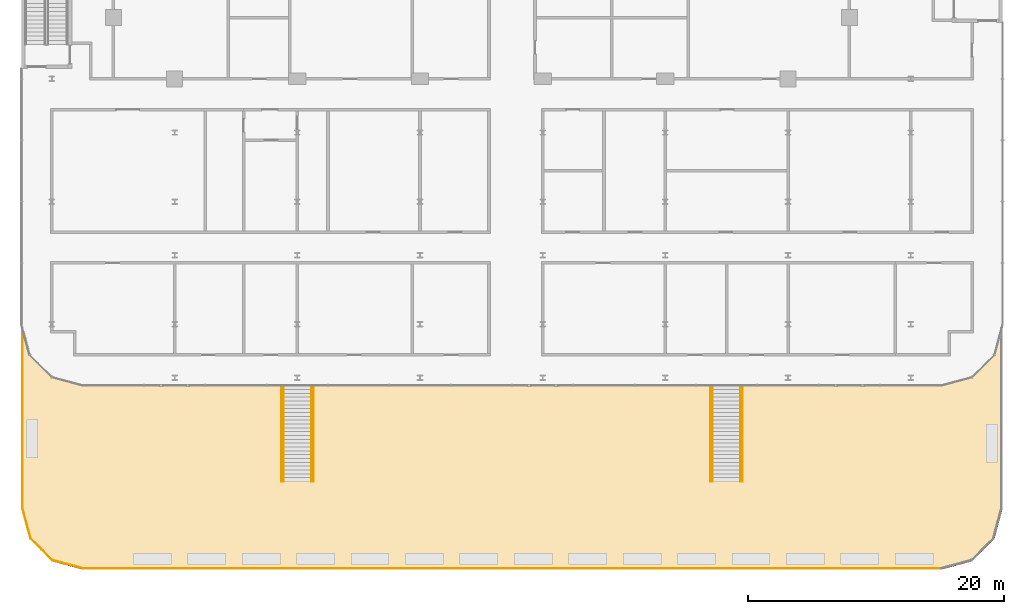
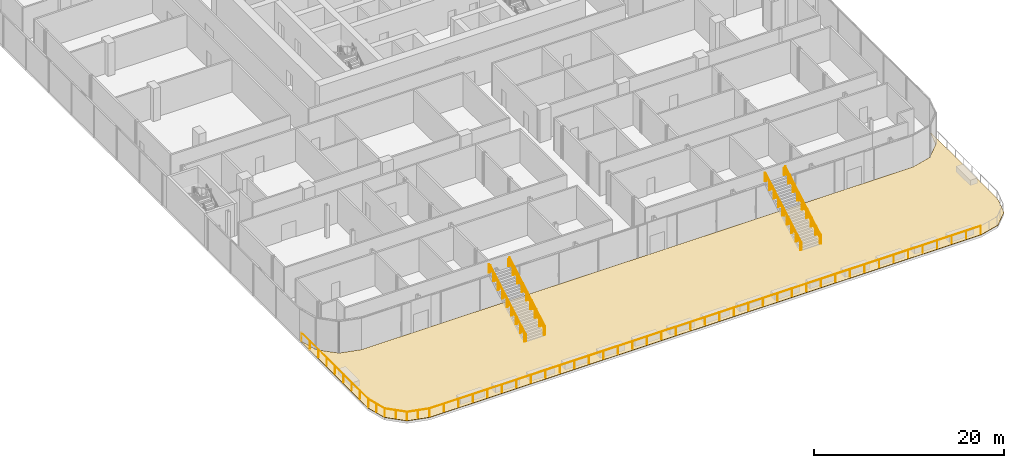
# One storey, part 37 of 43: 9 railings, 1 covering.
"""IFC4 building model written with IfcOpenShell, lengths in metres."""

from ifc_helpers import new_model, si_unit, direction, frame, origin, origin_2d, place, context, subcontext, project, spatial, polyline, circle, outline, extrude, material, layer, layer_set, type_object, element, save


model = new_model("IFC4")

# Units and contexts
model_context = context("Model", 3, precision=1e-05, world=origin(), true_north=direction((0.0, 1.0)))
body_context = subcontext(model_context, "Body", "Model", "MODEL_VIEW")
ifc_project = project(units=[si_unit("LENGTHUNIT", "METRE"), si_unit("AREAUNIT", "SQUARE_METRE"), si_unit("VOLUMEUNIT", "CUBIC_METRE"), si_unit("PLANEANGLEUNIT", "RADIAN"), si_unit("MASSUNIT", "GRAM", prefix="KILO")], contexts=[model_context])

# Site, building, storey
site_placement = place(None, origin())
site = spatial("IfcSite", under=ifc_project, at=site_placement, CompositionType="ELEMENT")
building_placement = place(site_placement, origin())
building = spatial("IfcBuilding", under=site, at=building_placement, Name="Madar Terraces", CompositionType="ELEMENT")
storey_placement = place(building_placement, frame((0.0, 0.0, 10.5)))
storey = spatial("IfcBuildingStorey", under=building, at=storey_placement, Name="L02", CompositionType="ELEMENT", Elevation=10.5)

# Railings
ifc_material_1 = material(Name="Glass, safety glazing, with stainless steel posts", Category="steel")
railing_type_1 = type_object("IfcRailingType", Name="Balcony glass guard 1100", PredefinedType="GUARDRAIL", material=ifc_material_1)
railing_placement = place(storey_placement, frame((-7.10009765625, -19.53076171875, 0.0400390625)))
element("IfcRailing", 1, at=railing_placement, inside=storey, type_object=railing_type_1, Name="Terrace guard", PredefinedType="GUARDRAIL", context=body_context, shape_type="SweptSolid", body=[
    extrude(circle(Radius=0.02392578125, at=origin_2d()), frame((0.0, 0.0, 1.076171875), z_axis=(0.0, -1.0, 0.0), x_axis=(1.0, 0.0, 0.0)), (0.0, 0.0, 1.0), 14.0693359375),
    extrude(circle(Radius=0.02392578125, at=origin_2d()), frame((0.0, -14.0693359375, 1.076171875), z_axis=(0.258911647064, -0.965901008911, 0.0), x_axis=(0.965901008911, 0.258911647064, 0.0)), (0.0, 0.0, 1.0), 2.432861328125),
    extrude(circle(Radius=0.02392578125, at=origin_2d()), frame((0.6298828125, -16.419189453125, 1.076171875), z_axis=(0.70705660508, -0.707156953733, 0.0), x_axis=(0.707156953733, 0.70705660508, 0.0)), (0.0, 0.0, 1.0), 2.432861328125),
    extrude(circle(Radius=0.02392578125, at=origin_2d()), frame((2.35009765625, -18.1396484375, 1.076171875), z_axis=(0.965932823238, -0.258792930722, 0.0), x_axis=(0.258792930722, 0.965932823238, 0.0)), (0.0, 0.0, 1.0), 2.432861328125),
    extrude(circle(Radius=0.02392578125, at=origin_2d()), frame((4.7001953125, -18.769287109375, 1.076171875), z_axis=(1.0, 0.0, 0.0), x_axis=(0.0, 1.0, 0.0)), (0.0, 0.0, 1.0), 67.199951171875),
    extrude(circle(Radius=0.02099609375, at=origin_2d()), origin(), (0.0, 0.0, 1.0), 1.052001953125),
    extrude(circle(Radius=0.02099609375, at=origin_2d()), frame((0.0, -1.7587890625, 0.0)), (0.0, 0.0, 1.0), 1.052001953125),
    extrude(circle(Radius=0.02099609375, at=origin_2d()), frame((0.0, -3.517333984375, 0.0)), (0.0, 0.0, 1.0), 1.052001953125),
    extrude(circle(Radius=0.02099609375, at=origin_2d()), frame((0.0, -5.27587890625, 0.0)), (0.0, 0.0, 1.0), 1.052001953125),
    extrude(circle(Radius=0.02099609375, at=origin_2d()), frame((0.0, -7.03466796875, 0.0)), (0.0, 0.0, 1.0), 1.052001953125),
    extrude(circle(Radius=0.02099609375, at=origin_2d()), frame((0.0, -8.79345703125, 0.0)), (0.0, 0.0, 1.0), 1.052001953125),
    extrude(circle(Radius=0.02099609375, at=origin_2d()), frame((0.0, -10.552001953125, 0.0)), (0.0, 0.0, 1.0), 1.052001953125),
    extrude(circle(Radius=0.02099609375, at=origin_2d()), frame((0.0, -12.310546875, 0.0)), (0.0, 0.0, 1.0), 1.052001953125),
    extrude(circle(Radius=0.02099609375, at=origin_2d()), frame((0.0, -14.0693359375, 0.0)), (0.0, 0.0, 1.0), 1.052001953125),
    extrude(circle(Radius=0.02099609375, at=origin_2d()), frame((0.31494140625, -15.244140625, 0.0)), (0.0, 0.0, 1.0), 1.052001953125),
    extrude(circle(Radius=0.02099609375, at=origin_2d()), frame((0.6298828125, -16.419189453125, 0.0)), (0.0, 0.0, 1.0), 1.052001953125),
    extrude(circle(Radius=0.02099609375, at=origin_2d()), frame((1.489990234375, -17.279296875, 0.0)), (0.0, 0.0, 1.0), 1.052001953125),
    extrude(circle(Radius=0.02099609375, at=origin_2d()), frame((2.35009765625, -18.1396484375, 0.0)), (0.0, 0.0, 1.0), 1.052001953125),
    extrude(circle(Radius=0.02099609375, at=origin_2d()), frame((3.525146484375, -18.45458984375, 0.0)), (0.0, 0.0, 1.0), 1.052001953125),
    extrude(circle(Radius=0.02099609375, at=origin_2d()), frame((4.7001953125, -18.769287109375, 0.0)), (0.0, 0.0, 1.0), 1.052001953125),
    extrude(circle(Radius=0.02099609375, at=origin_2d()), frame((6.468505859375, -18.769287109375, 0.0)), (0.0, 0.0, 1.0), 1.052001953125),
    extrude(circle(Radius=0.02099609375, at=origin_2d()), frame((8.237060546875, -18.769287109375, 0.0)), (0.0, 0.0, 1.0), 1.052001953125),
    extrude(circle(Radius=0.02099609375, at=origin_2d()), frame((10.00537109375, -18.769287109375, 0.0)), (0.0, 0.0, 1.0), 1.052001953125),
    extrude(circle(Radius=0.02099609375, at=origin_2d()), frame((11.77392578125, -18.769287109375, 0.0)), (0.0, 0.0, 1.0), 1.052001953125),
    extrude(circle(Radius=0.02099609375, at=origin_2d()), frame((13.542236328125, -18.769287109375, 0.0)), (0.0, 0.0, 1.0), 1.052001953125),
    extrude(circle(Radius=0.02099609375, at=origin_2d()), frame((15.310791015625, -18.769287109375, 0.0)), (0.0, 0.0, 1.0), 1.052001953125),
    extrude(circle(Radius=0.02099609375, at=origin_2d()), frame((17.0791015625, -18.769287109375, 0.0)), (0.0, 0.0, 1.0), 1.052001953125),
    extrude(circle(Radius=0.02099609375, at=origin_2d()), frame((18.84765625, -18.769287109375, 0.0)), (0.0, 0.0, 1.0), 1.052001953125),
    extrude(circle(Radius=0.02099609375, at=origin_2d()), frame((20.615966796875, -18.769287109375, 0.0)), (0.0, 0.0, 1.0), 1.052001953125),
    extrude(circle(Radius=0.02099609375, at=origin_2d()), frame((22.38427734375, -18.769287109375, 0.0)), (0.0, 0.0, 1.0), 1.052001953125),
    extrude(circle(Radius=0.02099609375, at=origin_2d()), frame((24.15283203125, -18.769287109375, 0.0)), (0.0, 0.0, 1.0), 1.052001953125),
    extrude(circle(Radius=0.02099609375, at=origin_2d()), frame((25.921142578125, -18.769287109375, 0.0)), (0.0, 0.0, 1.0), 1.052001953125),
    extrude(circle(Radius=0.02099609375, at=origin_2d()), frame((27.689697265625, -18.769287109375, 0.0)), (0.0, 0.0, 1.0), 1.052001953125),
    extrude(circle(Radius=0.02099609375, at=origin_2d()), frame((29.4580078125, -18.769287109375, 0.0)), (0.0, 0.0, 1.0), 1.052001953125),
    extrude(circle(Radius=0.02099609375, at=origin_2d()), frame((31.2265625, -18.769287109375, 0.0)), (0.0, 0.0, 1.0), 1.052001953125),
    extrude(circle(Radius=0.02099609375, at=origin_2d()), frame((32.994873046875, -18.769287109375, 0.0)), (0.0, 0.0, 1.0), 1.052001953125),
    extrude(circle(Radius=0.02099609375, at=origin_2d()), frame((34.763427734375, -18.769287109375, 0.0)), (0.0, 0.0, 1.0), 1.052001953125),
    extrude(circle(Radius=0.02099609375, at=origin_2d()), frame((36.53173828125, -18.769287109375, 0.0)), (0.0, 0.0, 1.0), 1.052001953125),
    extrude(circle(Radius=0.02099609375, at=origin_2d()), frame((38.30029296875, -18.769287109375, 0.0)), (0.0, 0.0, 1.0), 1.052001953125),
    extrude(circle(Radius=0.02099609375, at=origin_2d()), frame((40.068603515625, -18.769287109375, 0.0)), (0.0, 0.0, 1.0), 1.052001953125),
    extrude(circle(Radius=0.02099609375, at=origin_2d()), frame((41.8369140625, -18.769287109375, 0.0)), (0.0, 0.0, 1.0), 1.052001953125),
    extrude(circle(Radius=0.02099609375, at=origin_2d()), frame((43.60546875, -18.769287109375, 0.0)), (0.0, 0.0, 1.0), 1.052001953125),
    extrude(circle(Radius=0.02099609375, at=origin_2d()), frame((45.373779296875, -18.769287109375, 0.0)), (0.0, 0.0, 1.0), 1.052001953125),
    extrude(circle(Radius=0.02099609375, at=origin_2d()), frame((47.142333984375, -18.769287109375, 0.0)), (0.0, 0.0, 1.0), 1.052001953125),
    extrude(circle(Radius=0.02099609375, at=origin_2d()), frame((48.91064453125, -18.769287109375, 0.0)), (0.0, 0.0, 1.0), 1.052001953125),
    extrude(circle(Radius=0.02099609375, at=origin_2d()), frame((50.67919921875, -18.769287109375, 0.0)), (0.0, 0.0, 1.0), 1.052001953125),
    extrude(circle(Radius=0.02099609375, at=origin_2d()), frame((52.447509765625, -18.769287109375, 0.0)), (0.0, 0.0, 1.0), 1.052001953125),
    extrude(circle(Radius=0.02099609375, at=origin_2d()), frame((54.216064453125, -18.769287109375, 0.0)), (0.0, 0.0, 1.0), 1.052001953125),
    extrude(circle(Radius=0.02099609375, at=origin_2d()), frame((55.984375, -18.769287109375, 0.0)), (0.0, 0.0, 1.0), 1.052001953125),
    extrude(circle(Radius=0.02099609375, at=origin_2d()), frame((57.752685546875, -18.769287109375, 0.0)), (0.0, 0.0, 1.0), 1.052001953125),
    extrude(circle(Radius=0.02099609375, at=origin_2d()), frame((59.521240234375, -18.769287109375, 0.0)), (0.0, 0.0, 1.0), 1.052001953125),
    extrude(circle(Radius=0.02099609375, at=origin_2d()), frame((61.28955078125, -18.769287109375, 0.0)), (0.0, 0.0, 1.0), 1.052001953125),
    extrude(circle(Radius=0.02099609375, at=origin_2d()), frame((63.05810546875, -18.769287109375, 0.0)), (0.0, 0.0, 1.0), 1.052001953125),
    extrude(circle(Radius=0.02099609375, at=origin_2d()), frame((64.826416015625, -18.769287109375, 0.0)), (0.0, 0.0, 1.0), 1.052001953125),
    extrude(circle(Radius=0.02099609375, at=origin_2d()), frame((66.594970703125, -18.769287109375, 0.0)), (0.0, 0.0, 1.0), 1.052001953125),
    extrude(circle(Radius=0.02099609375, at=origin_2d()), frame((68.36328125, -18.769287109375, 0.0)), (0.0, 0.0, 1.0), 1.052001953125),
    extrude(circle(Radius=0.02099609375, at=origin_2d()), frame((70.1318359375, -18.769287109375, 0.0)), (0.0, 0.0, 1.0), 1.052001953125),
    extrude(circle(Radius=0.02099609375, at=origin_2d()), frame((71.900146484375, -18.769287109375, 0.0)), (0.0, 0.0, 1.0), 1.052001953125),
])
ifc_material_2 = material(Name="Glass, safety glazing, with stainless steel posts", Category="steel")
railing_type_2 = type_object("IfcRailingType", Name="Cascade stair guard 1100", PredefinedType="GUARDRAIL", material=ifc_material_2)
for number, where, name in (
    (2, (13.14990234375, -31.5, 0.173095703125), "Cascade stair guard L03 1"),
    (3, (15.64990234375, -31.5, 0.173095703125), "Cascade stair guard L03 1"),
    (4, (46.75, -31.5, 0.173095703125), "Cascade stair guard L03 2"),
    (5, (49.25, -31.5, 0.173095703125), "Cascade stair guard L03 2"),
):
    element("IfcRailing", number, at=place(storey_placement, frame(where)), inside=storey, type_object=railing_type_2, Name=name, PredefinedType="GUARDRAIL", context=body_context, shape_type="SweptSolid", body=[
        extrude(circle(Radius=0.02392578125, at=origin_2d()), frame((0.0, 0.0, 1.076171875), z_axis=(0.0, 0.866186524876, 0.499720826184), x_axis=(-1.0, 0.0, 0.0)), (0.0, 0.0, 1.0), 8.65869140625),
        extrude(circle(Radius=0.02099609375, at=origin_2d()), origin(), (0.0, 0.0, 1.0), 1.052001953125),
        extrude(circle(Radius=0.02099609375, at=origin_2d()), frame((0.0, 0.9375, 0.540771484375)), (0.0, 0.0, 1.0), 1.052001953125),
        extrude(circle(Radius=0.02099609375, at=origin_2d()), frame((0.0, 1.875, 1.081787109375)), (0.0, 0.0, 1.0), 1.052001953125),
        extrude(circle(Radius=0.02099609375, at=origin_2d()), frame((0.0, 2.8125, 1.62255859375)), (0.0, 0.0, 1.0), 1.052001953125),
        extrude(circle(Radius=0.02099609375, at=origin_2d()), frame((0.0, 3.75, 2.16357421875)), (0.0, 0.0, 1.0), 1.052001953125),
        extrude(circle(Radius=0.02099609375, at=origin_2d()), frame((0.0, 4.6875, 2.704345703125)), (0.0, 0.0, 1.0), 1.052001953125),
        extrude(circle(Radius=0.02099609375, at=origin_2d()), frame((0.0, 5.625, 3.2451171875)), (0.0, 0.0, 1.0), 1.052001953125),
        extrude(circle(Radius=0.02099609375, at=origin_2d()), frame((0.0, 6.5625, 3.7861328125)), (0.0, 0.0, 1.0), 1.052001953125),
        extrude(circle(Radius=0.02099609375, at=origin_2d()), frame((0.0, 7.5, 4.326904296875)), (0.0, 0.0, 1.0), 1.052001953125),
    ])
ifc_material_3 = material(Name="Stainless steel", Category="steel")
railing_type_3 = type_object("IfcRailingType", Name="Cascade stair handrail 920", PredefinedType="HANDRAIL", material=ifc_material_3)
for number, where, name in (
    (6, (13.300048828125, -31.5, 0.173095703125), "Cascade stair handrail L03 1"),
    (7, (15.5, -31.5, 0.173095703125), "Cascade stair handrail L03 1"),
    (8, (46.89990234375, -31.5, 0.173095703125), "Cascade stair handrail L03 2"),
    (9, (49.10009765625, -31.5, 0.173095703125), "Cascade stair handrail L03 2"),
):
    element("IfcRailing", number, at=place(storey_placement, frame(where)), inside=storey, type_object=railing_type_3, Name=name, PredefinedType="HANDRAIL", context=body_context, shape_type="SweptSolid", body=[
        extrude(circle(Radius=0.02392578125, at=origin_2d()), frame((0.0, 0.0, 0.89599609375), z_axis=(0.0, 0.866186524876, 0.499720826184), x_axis=(-1.0, 0.0, 0.0)), (0.0, 0.0, 1.0), 8.65869140625),
        extrude(circle(Radius=0.02099609375, at=origin_2d()), origin(), (0.0, 0.0, 1.0), 0.871826171875),
        extrude(circle(Radius=0.02099609375, at=origin_2d()), frame((0.0, 0.9375, 0.540771484375)), (0.0, 0.0, 1.0), 0.871826171875),
        extrude(circle(Radius=0.02099609375, at=origin_2d()), frame((0.0, 1.875, 1.081787109375)), (0.0, 0.0, 1.0), 0.871826171875),
        extrude(circle(Radius=0.02099609375, at=origin_2d()), frame((0.0, 2.8125, 1.62255859375)), (0.0, 0.0, 1.0), 0.871826171875),
        extrude(circle(Radius=0.02099609375, at=origin_2d()), frame((0.0, 3.75, 2.16357421875)), (0.0, 0.0, 1.0), 0.871826171875),
        extrude(circle(Radius=0.02099609375, at=origin_2d()), frame((0.0, 4.6875, 2.704345703125)), (0.0, 0.0, 1.0), 0.871826171875),
        extrude(circle(Radius=0.02099609375, at=origin_2d()), frame((0.0, 5.625, 3.2451171875)), (0.0, 0.0, 1.0), 0.871826171875),
        extrude(circle(Radius=0.02099609375, at=origin_2d()), frame((0.0, 6.5625, 3.7861328125)), (0.0, 0.0, 1.0), 0.871826171875),
        extrude(circle(Radius=0.02099609375, at=origin_2d()), frame((0.0, 7.5, 4.326904296875)), (0.0, 0.0, 1.0), 0.871826171875),
    ])

# Covering
ifc_material_4 = material(Name="Porcelain paving slabs on pedestals")
ifc_layer = layer(ifc_material_4, 0.0400390625)
ifc_layer_set = layer_set([ifc_layer], Name="Terrace paving 40")
covering_type = type_object("IfcCoveringType", Name="Terrace paving 40", PredefinedType="FLOORING", material=ifc_layer_set)
covering_placement = place(storey_placement, origin())
element("IfcCovering", 10, at=covering_placement, inside=storey, type_object=covering_type, Name="Terrace paving", PredefinedType="FLOORING", context=body_context, shape_type="SweptSolid", body=[
    extrude(outline(polyline([(-6.556884765625, -21.60009765625), (-6.555908203125, -21.600830078125), (-4.80078125, -23.35595703125), (-4.800048828125, -23.35693359375), (-4.798583984375, -23.357421875), (-2.401123046875, -23.999755859375), (-2.39990234375, -24.0), (-2.39892578125, -24.0), (64.798828125, -24.0), (64.800048828125, -24.0), (64.801025390625, -23.999755859375), (67.19873046875, -23.357421875), (67.199951171875, -23.35693359375), (67.200927734375, -23.35595703125), (68.9560546875, -21.600830078125), (68.956787109375, -21.60009765625), (68.957275390625, -21.5986328125), (69.501708984375, -19.56689453125), (69.503173828125, -19.56201171875), (69.505126953125, -19.5576171875), (69.507568359375, -19.55322265625), (69.510498046875, -19.54931640625), (69.513671875, -19.54541015625), (69.517333984375, -19.5419921875), (69.521240234375, -19.538818359375), (69.525390625, -19.536376953125), (69.52978515625, -19.533935546875), (69.534423828125, -19.5322265625), (69.539306640625, -19.531005859375), (69.544189453125, -19.530029296875), (69.549072265625, -19.52978515625), (69.55419921875, -19.530029296875), (69.55908203125, -19.530517578125), (69.563720703125, -19.53173828125), (69.568603515625, -19.533203125), (69.572998046875, -19.535400390625), (69.577392578125, -19.537841796875), (69.581298828125, -19.540771484375), (69.5849609375, -19.544189453125), (69.58837890625, -19.5478515625), (69.59130859375, -19.5517578125), (69.593994140625, -19.555908203125), (69.59619140625, -19.560302734375), (69.597900390625, -19.565185546875), (69.59912109375, -19.56982421875), (69.599853515625, -19.57470703125), (69.60009765625, -19.579833984375), (69.60009765625, -33.593505859375), (69.599853515625, -33.597900390625), (69.59912109375, -33.60205078125), (69.598388671875, -33.6064453125), (68.96044921875, -35.987060546875), (68.958740234375, -35.991943359375), (68.95654296875, -35.996826171875), (68.9541015625, -36.00146484375), (68.950927734375, -36.005615234375), (68.947509765625, -36.009521484375), (67.20947265625, -37.747314453125), (67.20556640625, -37.7509765625), (67.201416015625, -37.75390625), (67.19677734375, -37.756591796875), (67.19189453125, -37.7587890625), (67.18701171875, -37.760498046875), (64.806396484375, -38.398193359375), (64.802001953125, -38.399169921875), (64.7978515625, -38.39990234375), (64.79345703125, -38.39990234375), (-2.393310546875, -38.39990234375), (-2.397705078125, -38.39990234375), (-2.402099609375, -38.399169921875), (-2.406494140625, -38.398193359375), (-4.787109375, -37.760498046875), (-4.7919921875, -37.7587890625), (-4.796875, -37.756591796875), (-4.801513671875, -37.75390625), (-4.8056640625, -37.7509765625), (-4.8095703125, -37.747314453125), (-6.54736328125, -36.009521484375), (-6.551025390625, -36.005615234375), (-6.553955078125, -36.00146484375), (-6.556640625, -35.996826171875), (-6.558837890625, -35.991943359375), (-6.560302734375, -35.987060546875), (-7.1982421875, -33.6064453125), (-7.19921875, -33.60205078125), (-7.19970703125, -33.597900390625), (-7.199951171875, -33.593505859375), (-7.199951171875, -19.579833984375), (-7.19970703125, -19.57470703125), (-7.198974609375, -19.56982421875), (-7.19775390625, -19.565185546875), (-7.196044921875, -19.560302734375), (-7.194091796875, -19.555908203125), (-7.19140625, -19.5517578125), (-7.1884765625, -19.5478515625), (-7.18505859375, -19.544189453125), (-7.181396484375, -19.540771484375), (-7.17724609375, -19.537841796875), (-7.173095703125, -19.535400390625), (-7.16845703125, -19.533203125), (-7.163818359375, -19.53173828125), (-7.158935546875, -19.530517578125), (-7.154052734375, -19.530029296875), (-7.149169921875, -19.52978515625), (-7.14404296875, -19.530029296875), (-7.139404296875, -19.531005859375), (-7.134521484375, -19.5322265625), (-7.1298828125, -19.533935546875), (-7.12548828125, -19.536376953125), (-7.12109375, -19.538818359375), (-7.1171875, -19.5419921875), (-7.11376953125, -19.54541015625), (-7.110595703125, -19.54931640625), (-7.107666015625, -19.55322265625), (-7.105224609375, -19.5576171875), (-7.103271484375, -19.56201171875), (-7.101806640625, -19.56689453125), (-6.557373046875, -21.5986328125), (-6.556884765625, -21.60009765625)])), origin(), (0.0, 0.0, 1.0), 0.0400390625),
])

save(model, "model.ifc")
